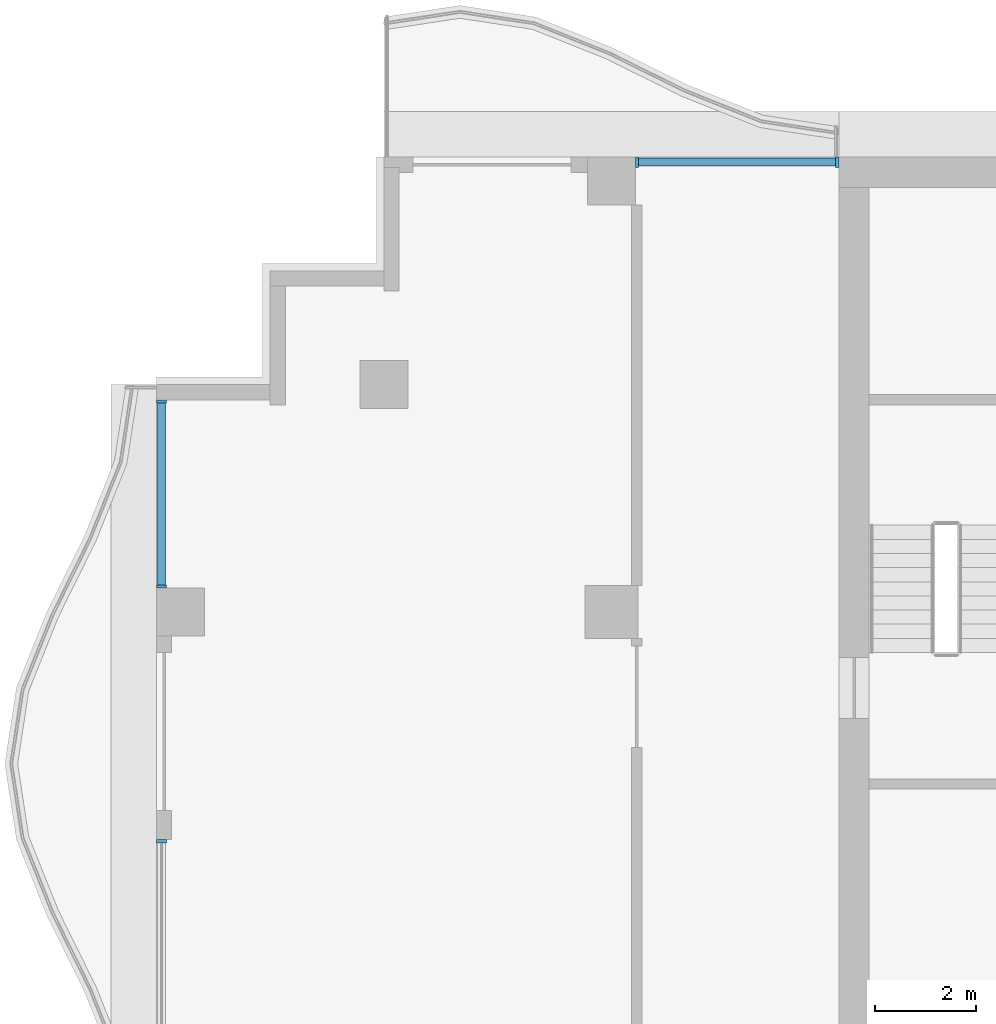
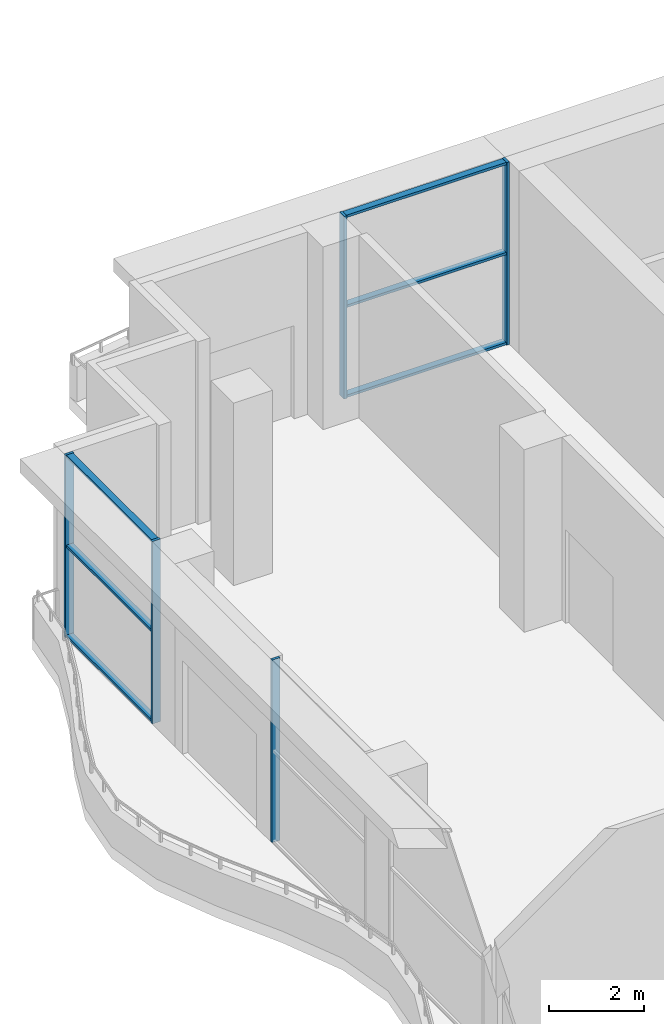
# One storey, part 4 of 15: 11 members, 3 elements without a shape of their own.
"""IFC4 building model written with IfcOpenShell, lengths in metres."""

from ifc_helpers import new_model, si_unit, direction, frame, origin, origin_2d, place, context, subcontext, project, spatial, rectangle, extrude, material, material_profile, profile_set, type_object, element, aggregate, save


model = new_model("IFC4")

# Units and contexts
model_context = context("Model", 3, precision=1e-05, world=origin(), true_north=direction((0.0, 1.0)))
body_context = subcontext(model_context, "Body", "Model", "MODEL_VIEW")
ifc_project = project(units=[si_unit("LENGTHUNIT", "METRE"), si_unit("AREAUNIT", "SQUARE_METRE"), si_unit("VOLUMEUNIT", "CUBIC_METRE"), si_unit("PLANEANGLEUNIT", "RADIAN"), si_unit("MASSUNIT", "GRAM", prefix="KILO")], contexts=[model_context])

# Site, building, storey
site_placement = place(None, origin())
site = spatial("IfcSite", under=ifc_project, at=site_placement, CompositionType="ELEMENT")
building_placement = place(site_placement, origin())
building = spatial("IfcBuilding", under=site, at=building_placement, Name="Orbiselva Terraces", CompositionType="ELEMENT")
storey_placement = place(building_placement, frame((0.0, 0.0, 233.8)))
storey = spatial("IfcBuildingStorey", under=building, at=storey_placement, Name="L59", CompositionType="ELEMENT", Elevation=233.8)

# Curtain wall, members
ifc_material_1 = material(Name="Clear low-e glazing in aluminium frame", Category="aluminium")
curtain_wall_type = type_object("IfcCurtainWallType", Name="ENV-CW-SKY", PredefinedType="NOTDEFINED", material=ifc_material_1)
curtain_wall_1_placement = place(storey_placement, origin())
curtain_wall_1 = element("IfcCurtainWall", 1, at=curtain_wall_1_placement, inside=storey, type_object=curtain_wall_type, Name="Curtain wall L59 NW", PredefinedType="NOTDEFINED")
ifc_material_2 = material(Name="Anodised aluminium", Category="aluminium")
ifc_material_profile_1 = material_profile(ifc_material_2, rectangle(XDim=0.2, YDim=0.065, at=origin_2d()), Name="AL 65x200")
ifc_profile_set_1 = profile_set([ifc_material_profile_1], Name="Anodised aluminium")
member_type_1 = type_object("IfcMemberType", Name="ENV-CW-SKY-MULLION-65x200", PredefinedType="MULLION", material=ifc_profile_set_1)
member_1_placement = place(storey_placement, frame((-13.5325, 22.4, 0.0), z_axis=(0.0, 0.0, 1.0), x_axis=(0.0, -1.0, 0.0)))
member_1 = element("IfcMember", 2, at=member_1_placement, type_object=member_type_1, Name="CW3 mullion 1", PredefinedType="MULLION", context=body_context, shape_type="SweptSolid", body=[
    extrude(rectangle(XDim=0.2, YDim=0.065, at=origin_2d()), origin(), (0.0, 0.0, 1.0), 4.7),
])
member_2_placement = place(storey_placement, frame((-17.4925, 22.4, 0.0), z_axis=(0.0, 0.0, 1.0), x_axis=(0.0, -1.0, 0.0)))
member_2 = element("IfcMember", 3, at=member_2_placement, type_object=member_type_1, Name="CW3 mullion 2", PredefinedType="MULLION", context=body_context, shape_type="SweptSolid", body=[
    extrude(rectangle(XDim=0.2, YDim=0.065, at=origin_2d()), origin(), (0.0, 0.0, 1.0), 4.7),
])

curtain_wall_2_placement = place(storey_placement, origin())
curtain_wall_2 = element("IfcCurtainWall", 4, at=curtain_wall_2_placement, inside=storey, type_object=curtain_wall_type, Name="Curtain wall L59 W", PredefinedType="NOTDEFINED")
member_3_placement = place(storey_placement, frame((-26.9, 17.6675, 0.0), z_axis=(0.0, 0.0, 1.0), x_axis=(1.0, 0.0, 0.0)))
member_3 = element("IfcMember", 5, at=member_3_placement, type_object=member_type_1, Name="CW3 mullion 1", PredefinedType="MULLION", context=body_context, shape_type="SweptSolid", body=[
    extrude(rectangle(XDim=0.2, YDim=0.065, at=origin_2d()), origin(), (0.0, 0.0, 1.0), 4.7),
])
member_4_placement = place(storey_placement, frame((-26.9, 14.0075, 0.0), z_axis=(0.0, 0.0, 1.0), x_axis=(1.0, 0.0, 0.0)))
member_4 = element("IfcMember", 6, at=member_4_placement, type_object=member_type_1, Name="CW3 mullion 2", PredefinedType="MULLION", context=body_context, shape_type="SweptSolid", body=[
    extrude(rectangle(XDim=0.2, YDim=0.065, at=origin_2d()), origin(), (0.0, 0.0, 1.0), 4.7),
])

# Curtain wall, member
curtain_wall_3_placement = place(storey_placement, origin())
curtain_wall_3 = element("IfcCurtainWall", 7, at=curtain_wall_3_placement, inside=storey, type_object=curtain_wall_type, Name="Curtain wall L59 W", PredefinedType="NOTDEFINED")
member_5_placement = place(storey_placement, frame((-26.9, 8.9675, 0.0), z_axis=(0.0, 0.0, 1.0), x_axis=(1.0, 0.0, 0.0)))
member_5 = element("IfcMember", 8, at=member_5_placement, type_object=member_type_1, Name="CW3 mullion 1", PredefinedType="MULLION", context=body_context, shape_type="SweptSolid", body=[
    extrude(rectangle(XDim=0.2, YDim=0.065, at=origin_2d()), origin(), (0.0, 0.0, 1.0), 4.7),
])
aggregate(curtain_wall_3, [member_5])

# Member
ifc_material_profile_2 = material_profile(ifc_material_2, rectangle(XDim=0.16, YDim=0.065, at=origin_2d()), Name="AL 65x160")
ifc_profile_set_2 = profile_set([ifc_material_profile_2], Name="Anodised aluminium")
member_type_2 = type_object("IfcMemberType", Name="ENV-CW-SKY-TRANSOM-65x160", PredefinedType="USERDEFINED", material=ifc_profile_set_2)
member_6_placement = place(storey_placement, frame((-13.565, 22.4, 0.0325), z_axis=(-1.0, 0.0, 0.0), x_axis=(0.0, -1.0, 0.0)))
member_6 = element("IfcMember", 9, at=member_6_placement, type_object=member_type_2, Name="CW3 transom 1.1", ObjectType="TRANSOM", PredefinedType="USERDEFINED", context=body_context, shape_type="SweptSolid", body=[
    extrude(rectangle(XDim=0.16, YDim=0.065, at=origin_2d()), origin(), (0.0, 0.0, 1.0), 3.895),
])

member_7_placement = place(storey_placement, frame((-13.565, 22.4, 2.35), z_axis=(-1.0, 0.0, 0.0), x_axis=(0.0, -1.0, 0.0)))
member_7 = element("IfcMember", 10, at=member_7_placement, type_object=member_type_2, Name="CW3 transom 1.2", ObjectType="TRANSOM", PredefinedType="USERDEFINED", context=body_context, shape_type="SweptSolid", body=[
    extrude(rectangle(XDim=0.16, YDim=0.065, at=origin_2d()), origin(), (0.0, 0.0, 1.0), 3.895),
])

member_8_placement = place(storey_placement, frame((-13.565, 22.4, 4.6675), z_axis=(-1.0, 0.0, 0.0), x_axis=(0.0, -1.0, 0.0)))
member_8 = element("IfcMember", 11, at=member_8_placement, type_object=member_type_2, Name="CW3 transom 1.3", ObjectType="TRANSOM", PredefinedType="USERDEFINED", context=body_context, shape_type="SweptSolid", body=[
    extrude(rectangle(XDim=0.16, YDim=0.065, at=origin_2d()), origin(), (0.0, 0.0, 1.0), 3.895),
])

aggregate(curtain_wall_1, [member_1, member_2, member_6, member_7, member_8])

member_9_placement = place(storey_placement, frame((-26.9, 17.635, 0.0325), z_axis=(0.0, -1.0, 0.0), x_axis=(1.0, 0.0, 0.0)))
member_9 = element("IfcMember", 12, at=member_9_placement, type_object=member_type_2, Name="CW3 transom 1.1", ObjectType="TRANSOM", PredefinedType="USERDEFINED", context=body_context, shape_type="SweptSolid", body=[
    extrude(rectangle(XDim=0.16, YDim=0.065, at=origin_2d()), origin(), (0.0, 0.0, 1.0), 3.595),
])

member_10_placement = place(storey_placement, frame((-26.9, 17.635, 2.35), z_axis=(0.0, -1.0, 0.0), x_axis=(1.0, 0.0, 0.0)))
member_10 = element("IfcMember", 13, at=member_10_placement, type_object=member_type_2, Name="CW3 transom 1.2", ObjectType="TRANSOM", PredefinedType="USERDEFINED", context=body_context, shape_type="SweptSolid", body=[
    extrude(rectangle(XDim=0.16, YDim=0.065, at=origin_2d()), origin(), (0.0, 0.0, 1.0), 3.595),
])

member_11_placement = place(storey_placement, frame((-26.9, 17.635, 4.6675), z_axis=(0.0, -1.0, 0.0), x_axis=(1.0, 0.0, 0.0)))
member_11 = element("IfcMember", 14, at=member_11_placement, type_object=member_type_2, Name="CW3 transom 1.3", ObjectType="TRANSOM", PredefinedType="USERDEFINED", context=body_context, shape_type="SweptSolid", body=[
    extrude(rectangle(XDim=0.16, YDim=0.065, at=origin_2d()), origin(), (0.0, 0.0, 1.0), 3.595),
])

aggregate(curtain_wall_2, [member_3, member_4, member_9, member_10, member_11])

save(model, "model.ifc")
